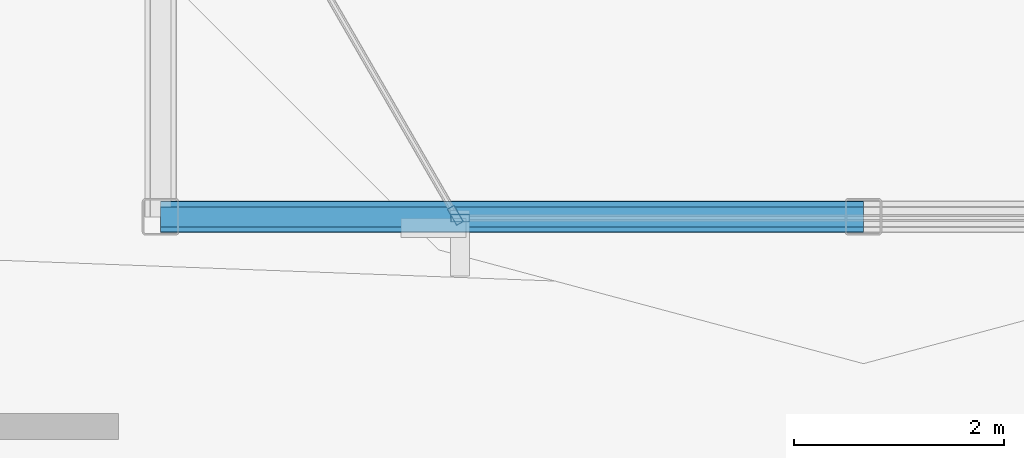
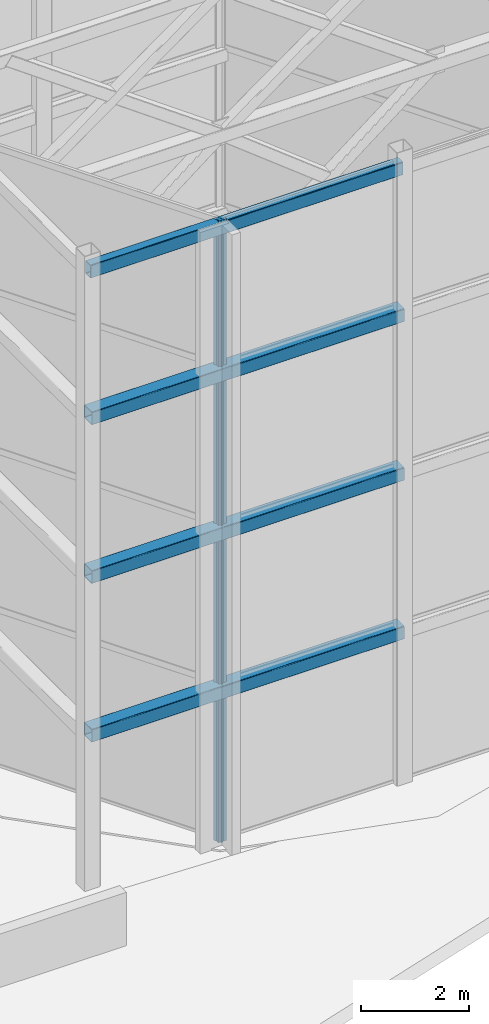
# One storey, part 2 of 24: 4 beams, 2 members, 2 elements without a shape of their own.
"""IFC4 building model written with IfcOpenShell, lengths in metres."""

from ifc_helpers import new_model, si_unit, direction, frame, origin, origin_2d, place, context, subcontext, project, spatial, hollow_rectangle, extrude, material, layer, layer_set, material_profile, profile_set, type_object, element, aggregate, save


model = new_model("IFC4")

# Units and contexts
model_context = context("Model", 3, precision=1e-05, world=origin(), true_north=direction((0.0, 1.0)))
body_context = subcontext(model_context, "Body", "Model", "MODEL_VIEW")
ifc_project = project(units=[si_unit("LENGTHUNIT", "METRE"), si_unit("AREAUNIT", "SQUARE_METRE"), si_unit("VOLUMEUNIT", "CUBIC_METRE"), si_unit("PLANEANGLEUNIT", "RADIAN"), si_unit("MASSUNIT", "GRAM", prefix="KILO")], contexts=[model_context])

# Site, building, storey
site_placement = place(None, origin())
site = spatial("IfcSite", under=ifc_project, at=site_placement, CompositionType="ELEMENT")
building_placement = place(site_placement, origin())
building = spatial("IfcBuilding", under=site, at=building_placement, Name="Solvaryn Broadcast Tower", CompositionType="ELEMENT")
storey_placement = place(building_placement, frame((0.0, 0.0, 307.800048828125)))
storey = spatial("IfcBuildingStorey", under=building, at=storey_placement, Name="Roof Main", CompositionType="ELEMENT", Elevation=307.800048828125)

# Beams
ifc_material_1 = material(Name="Steel ASTM A500 Grade C", Category="steel")
ifc_material_profile_1 = material_profile(ifc_material_1, hollow_rectangle(XDim=0.199951171875, YDim=0.300048828125, WallThickness=0.011962890625, InnerFilletRadius=0.011962890625, OuterFilletRadius=0.02392578125, at=origin_2d()))
ifc_profile_set_1 = profile_set([ifc_material_profile_1], Name="Steel ASTM A500 Grade C")
beam_type_1 = type_object("IfcBeamType", Name="BM-CROWN-CAP", PredefinedType="BEAM", material=ifc_profile_set_1)
beam_placement = place(storey_placement, frame((29.39990234375, 11.199951171875, 13.949951171875), z_axis=(1.0, 0.0, 0.0), x_axis=(0.0, 1.0, 0.0)))
element("IfcBeam", 1, at=beam_placement, inside=storey, type_object=beam_type_1, Name="Roof Main CROWN FRAME Ring Beam ET4-1", PredefinedType="BEAM", context=body_context, shape_type="SweptSolid", body=[
    extrude(hollow_rectangle(XDim=0.199951171875, YDim=0.300048828125, WallThickness=0.011962890625, InnerFilletRadius=0.011962890625, OuterFilletRadius=0.02392578125, at=origin_2d()), origin(), (0.0, 0.0, 1.0), 6.7001953125),
])
ifc_material_2 = material(Name="Steel ASTM A500 Grade C", Category="steel")
ifc_material_profile_2 = material_profile(ifc_material_2, hollow_rectangle(XDim=0.300048828125, YDim=0.300048828125, WallThickness=0.01416015625, InnerFilletRadius=0.01416015625, OuterFilletRadius=0.0283203125, at=origin_2d()))
ifc_profile_set_2 = profile_set([ifc_material_profile_2], Name="Steel ASTM A500 Grade C")
beam_type_2 = type_object("IfcBeamType", Name="BM-CROWN-RING", PredefinedType="BEAM", material=ifc_profile_set_2)
for number, where, z_axis, x_axis, name in (
    (2, (29.39990234375, 11.199951171875, 3.449951171875), (1.0, 0.0, 0.0), (0.0, 1.0, 0.0), "Roof Main CROWN FRAME Ring Beam ET1-1"),
    (3, (29.39990234375, 11.199951171875, 7.050048828125), (1.0, 0.0, 0.0), (0.0, 1.0, 0.0), "Roof Main CROWN FRAME Ring Beam ET2-1"),
    (4, (29.39990234375, 11.199951171875, 10.64990234375), (1.0, 0.0, 0.0), (0.0, 1.0, 0.0), "Roof Main CROWN FRAME Ring Beam ET3-1"),
):
    element("IfcBeam", number, at=place(storey_placement, frame(where, z_axis=z_axis, x_axis=x_axis)), inside=storey, type_object=beam_type_2, Name=name, PredefinedType="BEAM", context=body_context, shape_type="SweptSolid", body=[
        extrude(hollow_rectangle(XDim=0.300048828125, YDim=0.300048828125, WallThickness=0.01416015625, InnerFilletRadius=0.01416015625, OuterFilletRadius=0.0283203125, at=origin_2d()), origin(), (0.0, 0.0, 1.0), 6.7001953125),
    ])

# Curtain wall, member
ifc_material_3 = material(Name="Aluminium and Terracotta Unitised Curtain Wall", Category="masonry")
ifc_layer = layer(ifc_material_3, 0.2099609375)
ifc_layer_set = layer_set([ifc_layer], Name="CW-SYS6-CROWN")
curtain_wall_type = type_object("IfcCurtainWallType", Name="CW-SYS6-CROWN", PredefinedType="NOTDEFINED", material=ifc_layer_set)
curtain_wall_1_placement = place(storey_placement, origin())
curtain_wall_1 = element("IfcCurtainWall", 5, at=curtain_wall_1_placement, inside=storey, type_object=curtain_wall_type, Name="Roof Main Split-Top Crown Curtain Wall E4", PredefinedType="NOTDEFINED")
ifc_material_4 = material(Name="Anodised Aluminium 6063-T6", Category="aluminium")
ifc_material_profile_3 = material_profile(ifc_material_4, hollow_rectangle(XDim=0.074951171875, YDim=0.179931640625, WallThickness=0.00390625, InnerFilletRadius=0.00390625, OuterFilletRadius=0.008056640625, at=origin_2d()))
ifc_profile_set_3 = profile_set([ifc_material_profile_3], Name="Anodised Aluminium 6063-T6")
member_type = type_object("IfcMemberType", Name="CW-MUL-180", PredefinedType="MULLION", material=ifc_profile_set_3)
member_1_placement = place(storey_placement, frame((32.2099609375, 11.2138671875, 0.0), z_axis=(0.0, 0.0, 1.0), x_axis=(0.866035181372, 0.499983064339, 0.0)))
member_1 = element("IfcMember", 6, at=member_1_placement, type_object=member_type, Name="CWS6 mullion 2", PredefinedType="MULLION", context=body_context, shape_type="SweptSolid", body=[
    extrude(hollow_rectangle(XDim=0.074951171875, YDim=0.179931640625, WallThickness=0.00390625, InnerFilletRadius=0.00390625, OuterFilletRadius=0.008056640625, at=origin_2d()), origin(), (0.0, 0.0, 1.0), 14.099853515625),
])
aggregate(curtain_wall_1, [member_1])

curtain_wall_2_placement = place(storey_placement, origin())
curtain_wall_2 = element("IfcCurtainWall", 7, at=curtain_wall_2_placement, inside=storey, type_object=curtain_wall_type, Name="Roof Main Split-Top Crown Curtain Wall E5", PredefinedType="NOTDEFINED")
member_2_placement = place(storey_placement, frame((32.2548828125, 11.18798828125, 0.0), z_axis=(0.0, 0.0, 1.0), x_axis=(0.0, 1.0, 0.0)))
member_2 = element("IfcMember", 8, at=member_2_placement, type_object=member_type, Name="CWS6 mullion 1", PredefinedType="MULLION", context=body_context, shape_type="SweptSolid", body=[
    extrude(hollow_rectangle(XDim=0.074951171875, YDim=0.179931640625, WallThickness=0.00390625, InnerFilletRadius=0.00390625, OuterFilletRadius=0.008056640625, at=origin_2d()), origin(), (0.0, 0.0, 1.0), 14.099853515625),
])
aggregate(curtain_wall_2, [member_2])

save(model, "model.ifc")
